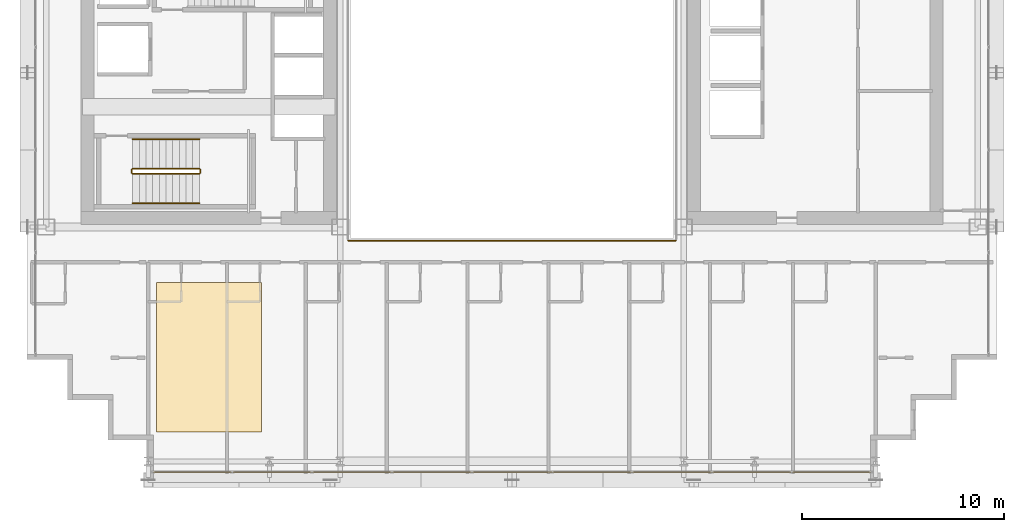
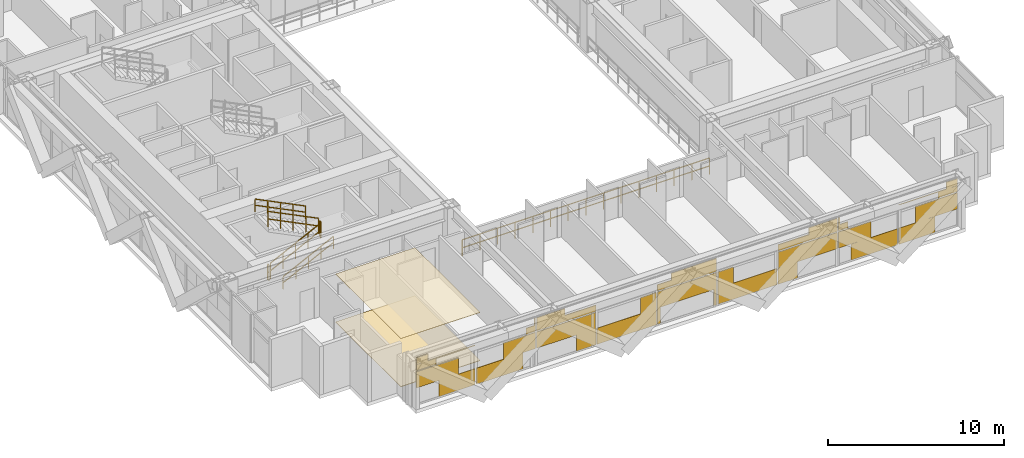
# One storey, part 33 of 36: 7 railings, 3 coverings.
"""IFC4 building model written with IfcOpenShell, lengths in metres."""

from ifc_helpers import new_model, si_unit, direction, frame, origin, origin_2d, place, context, subcontext, project, spatial, polyline, rectangle, outline, extrude, material, layer, layer_set, type_object, element, save


model = new_model("IFC4")

# Units and contexts
model_context = context("Model", 3, precision=1e-05, world=origin(), true_north=direction((0.0, 1.0)))
body_context = subcontext(model_context, "Body", "Model", "MODEL_VIEW")
ifc_project = project(units=[si_unit("LENGTHUNIT", "METRE"), si_unit("AREAUNIT", "SQUARE_METRE"), si_unit("VOLUMEUNIT", "CUBIC_METRE"), si_unit("PLANEANGLEUNIT", "RADIAN"), si_unit("MASSUNIT", "GRAM", prefix="KILO")], contexts=[model_context])

# Site, building, storey
site_placement = place(None, origin())
site = spatial("IfcSite", under=ifc_project, at=site_placement, CompositionType="ELEMENT")
building_placement = place(site_placement, origin())
building = spatial("IfcBuilding", under=site, at=building_placement, Name="Ocotamira Hotel", CompositionType="ELEMENT")
storey_placement = place(building_placement, frame((0.0, 0.0, 136.800048828125)))
storey = spatial("IfcBuildingStorey", under=building, at=storey_placement, Name="L34", CompositionType="ELEMENT", Elevation=136.800048828125)

# Coverings
ifc_material_1 = material(Name="Perforated acoustic gypsum ceiling board", Category="gypsum")
ifc_layer_1 = layer(ifc_material_1, 0.02490234375)
ifc_layer_set_1 = layer_set([ifc_layer_1], Name="Perforated acoustic gypsum ceiling board")
covering_type_1 = type_object("IfcCoveringType", Name="COV-CEIL-25", PredefinedType="CEILING", material=ifc_layer_set_1)
covering_1_placement = place(storey_placement, frame((0.0, 0.0, 3.3349609375)))
element("IfcCovering", 1, at=covering_1_placement, inside=storey, type_object=covering_type_1, Name="L34 Acoustic Ceiling", PredefinedType="CEILING", context=body_context, shape_type="SweptSolid", body=[
    extrude(outline(polyline([(14.39990234375, 4.39990234375), (19.60009765625, 4.39990234375), (19.60009765625, 11.800048828125), (14.39990234375, 11.800048828125), (14.39990234375, 4.39990234375)])), origin(), (0.0, 0.0, 1.0), 0.02490234375),
])
ifc_material_2 = material(Name="Honed desert travertine stone flooring", Category="masonry")
ifc_layer_2 = layer(ifc_material_2, 0.030029296875)
ifc_layer_set_2 = layer_set([ifc_layer_2], Name="Honed desert travertine stone flooring")
covering_type_2 = type_object("IfcCoveringType", Name="COV-FLOR-30", PredefinedType="FLOORING", material=ifc_layer_set_2)
covering_2_placement = place(storey_placement, origin())
element("IfcCovering", 2, at=covering_2_placement, inside=storey, type_object=covering_type_2, Name="L34 Honed Stone Floor Finish", PredefinedType="FLOORING", context=body_context, shape_type="SweptSolid", body=[
    extrude(outline(polyline([(14.39990234375, 4.39990234375), (19.60009765625, 4.39990234375), (19.60009765625, 11.800048828125), (14.39990234375, 11.800048828125), (14.39990234375, 4.39990234375)])), origin(), (0.0, 0.0, 1.0), 0.030029296875),
])
ifc_material_3 = material(Name="Insulated pale-metal aluminium spandrel panel", Category="aluminium")
ifc_layer_3 = layer(ifc_material_3, 0.044921875)
ifc_layer_set_3 = layer_set([ifc_layer_3], Name="Insulated pale-metal aluminium spandrel panel")
covering_type_3 = type_object("IfcCoveringType", Name="COV-INFILL-45", PredefinedType="CLADDING", material=ifc_layer_set_3)
covering_3_placement = place(storey_placement, origin())
element("IfcCovering", 3, at=covering_3_placement, inside=storey, type_object=covering_type_3, Name="L34 Curtain Wall Infill CW-3 CW-L34-S1", PredefinedType="CLADDING", context=body_context, shape_type="SweptSolid", body=[
    extrude(rectangle(XDim=2.754638671875, YDim=0.044921875, at=origin_2d()), frame((15.65771484375, 2.419921875, 1.19384765625), z_axis=(0.0, 0.0, 1.0), x_axis=(1.0, 0.0, 0.0)), (0.0, 0.0, 1.0), 1.117919921875),
    extrude(rectangle(XDim=2.359619140625, YDim=0.044921875, at=origin_2d()), frame((16.935302734375, 2.419921875, 0.0751953125), z_axis=(0.0, 0.0, 1.0), x_axis=(1.0, 0.0, 0.0)), (0.0, 0.0, 1.0), 1.117919921875),
    extrude(rectangle(XDim=1.262451171875, YDim=0.044921875, at=origin_2d()), frame((14.91162109375, 2.419921875, 2.387939453125), z_axis=(0.0, 0.0, 1.0), x_axis=(1.0, 0.0, 0.0)), (0.0, 0.0, 1.0), 0.3935546875),
    extrude(rectangle(XDim=3.834716796875, YDim=0.044921875, at=origin_2d()), frame((16.19775390625, 2.419921875, 2.782470703125), z_axis=(0.0, 0.0, 1.0), x_axis=(1.0, 0.0, 0.0)), (0.0, 0.0, 1.0), 0.0302734375),
    extrude(rectangle(XDim=0.730224609375, YDim=0.044921875, at=origin_2d()), frame((14.6455078125, 2.419921875, 2.813720703125), z_axis=(0.0, 0.0, 1.0), x_axis=(1.0, 0.0, 0.0)), (0.0, 0.0, 1.0), 0.470703125),
    extrude(rectangle(XDim=3.04833984375, YDim=0.044921875, at=origin_2d()), frame((19.72021484375, 2.419921875, 0.0751953125), z_axis=(0.0, 0.0, 1.0), x_axis=(1.0, 0.0, 0.0)), (0.0, 0.0, 1.0), 1.117919921875),
    extrude(rectangle(XDim=2.105712890625, YDim=0.044921875, at=origin_2d()), frame((21.017578125, 2.419921875, 1.19384765625), z_axis=(0.0, 0.0, 1.0), x_axis=(1.0, 0.0, 0.0)), (0.0, 0.0, 1.0), 1.117919921875),
    extrude(rectangle(XDim=0.613525390625, YDim=0.044921875, at=origin_2d()), frame((21.763916015625, 2.419921875, 2.387939453125), z_axis=(0.0, 0.0, 1.0), x_axis=(1.0, 0.0, 0.0)), (0.0, 0.0, 1.0), 0.4248046875),
    extrude(rectangle(XDim=0.081298828125, YDim=0.044921875, at=origin_2d()), frame((22.02978515625, 2.419921875, 2.813720703125), z_axis=(0.0, 0.0, 1.0), x_axis=(1.0, 0.0, 0.0)), (0.0, 0.0, 1.0), 0.470703125),
    extrude(rectangle(XDim=3.87451171875, YDim=0.044921875, at=origin_2d()), frame((24.0888671875, 2.419921875, 1.19384765625), z_axis=(0.0, 0.0, 1.0), x_axis=(1.0, 0.0, 0.0)), (0.0, 0.0, 1.0), 1.117919921875),
    extrude(rectangle(XDim=1.270751953125, YDim=0.044921875, at=origin_2d()), frame((25.390869140625, 2.419921875, 0.0751953125), z_axis=(0.0, 0.0, 1.0), x_axis=(1.0, 0.0, 0.0)), (0.0, 0.0, 1.0), 1.117919921875),
    extrude(rectangle(XDim=3.87451171875, YDim=0.044921875, at=origin_2d()), frame((24.0888671875, 2.419921875, 2.387939453125), z_axis=(0.0, 0.0, 1.0), x_axis=(1.0, 0.0, 0.0)), (0.0, 0.0, 1.0), 0.4248046875),
    extrude(rectangle(XDim=1.859130859375, YDim=0.044921875, at=origin_2d()), frame((23.081298828125, 2.419921875, 2.813720703125), z_axis=(0.0, 0.0, 1.0), x_axis=(1.0, 0.0, 0.0)), (0.0, 0.0, 1.0), 0.470703125),
    extrude(rectangle(XDim=3.87451171875, YDim=0.044921875, at=origin_2d()), frame((28.04443359375, 2.419921875, 0.0751953125), z_axis=(0.0, 0.0, 1.0), x_axis=(1.0, 0.0, 0.0)), (0.0, 0.0, 1.0), 1.117919921875),
    extrude(rectangle(XDim=1.016845703125, YDim=0.044921875, at=origin_2d()), frame((29.473388671875, 2.419921875, 1.19384765625), z_axis=(0.0, 0.0, 1.0), x_axis=(1.0, 0.0, 0.0)), (0.0, 0.0, 1.0), 1.117919921875),
    extrude(rectangle(XDim=0.181884765625, YDim=0.044921875, at=origin_2d()), frame((30.153564453125, 2.419921875, 0.0751953125), z_axis=(0.0, 0.0, 1.0), x_axis=(1.0, 0.0, 0.0)), (0.0, 0.0, 1.0), 1.117919921875),
    extrude(rectangle(XDim=3.87451171875, YDim=0.044921875, at=origin_2d()), frame((32.0, 2.419921875, 1.19384765625), z_axis=(0.0, 0.0, 1.0), x_axis=(1.0, 0.0, 0.0)), (0.0, 0.0, 1.0), 1.117919921875),
    extrude(rectangle(XDim=0.181884765625, YDim=0.044921875, at=origin_2d()), frame((33.846435546875, 2.419921875, 0.0751953125), z_axis=(0.0, 0.0, 1.0), x_axis=(1.0, 0.0, 0.0)), (0.0, 0.0, 1.0), 1.117919921875),
    extrude(rectangle(XDim=3.87451171875, YDim=0.044921875, at=origin_2d()), frame((32.0, 2.419921875, 2.387939453125), z_axis=(0.0, 0.0, 1.0), x_axis=(1.0, 0.0, 0.0)), (0.0, 0.0, 1.0), 0.4248046875),
    extrude(rectangle(XDim=2.947998046875, YDim=0.044921875, at=origin_2d()), frame((32.46337890625, 2.419921875, 2.813720703125), z_axis=(0.0, 0.0, 1.0), x_axis=(1.0, 0.0, 0.0)), (0.0, 0.0, 1.0), 0.470703125),
    extrude(rectangle(XDim=3.87451171875, YDim=0.044921875, at=origin_2d()), frame((35.95556640625, 2.419921875, 0.0751953125), z_axis=(0.0, 0.0, 1.0), x_axis=(1.0, 0.0, 0.0)), (0.0, 0.0, 1.0), 1.117919921875),
    extrude(rectangle(XDim=1.016845703125, YDim=0.044921875, at=origin_2d()), frame((34.526611328125, 2.419921875, 1.19384765625), z_axis=(0.0, 0.0, 1.0), x_axis=(1.0, 0.0, 0.0)), (0.0, 0.0, 1.0), 1.117919921875),
    extrude(rectangle(XDim=1.270751953125, YDim=0.044921875, at=origin_2d()), frame((38.609130859375, 2.419921875, 0.0751953125), z_axis=(0.0, 0.0, 1.0), x_axis=(1.0, 0.0, 0.0)), (0.0, 0.0, 1.0), 1.117919921875),
    extrude(rectangle(XDim=3.87451171875, YDim=0.044921875, at=origin_2d()), frame((39.9111328125, 2.419921875, 1.19384765625), z_axis=(0.0, 0.0, 1.0), x_axis=(1.0, 0.0, 0.0)), (0.0, 0.0, 1.0), 1.117919921875),
    extrude(rectangle(XDim=3.87451171875, YDim=0.044921875, at=origin_2d()), frame((39.9111328125, 2.419921875, 2.387939453125), z_axis=(0.0, 0.0, 1.0), x_axis=(1.0, 0.0, 0.0)), (0.0, 0.0, 1.0), 0.4248046875),
    extrude(rectangle(XDim=1.859130859375, YDim=0.044921875, at=origin_2d()), frame((40.918701171875, 2.419921875, 2.813720703125), z_axis=(0.0, 0.0, 1.0), x_axis=(1.0, 0.0, 0.0)), (0.0, 0.0, 1.0), 0.470703125),
    extrude(rectangle(XDim=2.105712890625, YDim=0.044921875, at=origin_2d()), frame((42.982421875, 2.419921875, 1.19384765625), z_axis=(0.0, 0.0, 1.0), x_axis=(1.0, 0.0, 0.0)), (0.0, 0.0, 1.0), 1.117919921875),
    extrude(rectangle(XDim=3.04833984375, YDim=0.044921875, at=origin_2d()), frame((44.27978515625, 2.419921875, 0.0751953125), z_axis=(0.0, 0.0, 1.0), x_axis=(1.0, 0.0, 0.0)), (0.0, 0.0, 1.0), 1.117919921875),
    extrude(rectangle(XDim=0.613525390625, YDim=0.044921875, at=origin_2d()), frame((42.236083984375, 2.419921875, 2.387939453125), z_axis=(0.0, 0.0, 1.0), x_axis=(1.0, 0.0, 0.0)), (0.0, 0.0, 1.0), 0.4248046875),
    extrude(rectangle(XDim=0.081298828125, YDim=0.044921875, at=origin_2d()), frame((41.97021484375, 2.419921875, 2.813720703125), z_axis=(0.0, 0.0, 1.0), x_axis=(1.0, 0.0, 0.0)), (0.0, 0.0, 1.0), 0.470703125),
    extrude(rectangle(XDim=2.359619140625, YDim=0.044921875, at=origin_2d()), frame((47.064697265625, 2.419921875, 0.0751953125), z_axis=(0.0, 0.0, 1.0), x_axis=(1.0, 0.0, 0.0)), (0.0, 0.0, 1.0), 1.117919921875),
    extrude(rectangle(XDim=2.754638671875, YDim=0.044921875, at=origin_2d()), frame((48.34228515625, 2.419921875, 1.19384765625), z_axis=(0.0, 0.0, 1.0), x_axis=(1.0, 0.0, 0.0)), (0.0, 0.0, 1.0), 1.117919921875),
    extrude(rectangle(XDim=3.834716796875, YDim=0.044921875, at=origin_2d()), frame((47.80224609375, 2.419921875, 2.782470703125), z_axis=(0.0, 0.0, 1.0), x_axis=(1.0, 0.0, 0.0)), (0.0, 0.0, 1.0), 0.0302734375),
    extrude(rectangle(XDim=1.262451171875, YDim=0.044921875, at=origin_2d()), frame((49.08837890625, 2.419921875, 2.387939453125), z_axis=(0.0, 0.0, 1.0), x_axis=(1.0, 0.0, 0.0)), (0.0, 0.0, 1.0), 0.3935546875),
    extrude(rectangle(XDim=0.730224609375, YDim=0.044921875, at=origin_2d()), frame((49.3544921875, 2.419921875, 2.813720703125), z_axis=(0.0, 0.0, 1.0), x_axis=(1.0, 0.0, 0.0)), (0.0, 0.0, 1.0), 0.470703125),
])

# Railings
ifc_material_4 = material(Name="Painted steel stair guardrail", Category="steel")
railing_type_1 = type_object("IfcRailingType", Name="RL-EDGE-1150", PredefinedType="GUARDRAIL", material=ifc_material_4)
railing_1_placement = place(storey_placement, frame((23.89990234375, 13.8798828125, 0.0)))
element("IfcRailing", 4, at=railing_1_placement, inside=storey, type_object=railing_type_1, Name="L34 Central Atrium Edge Guardrail S", PredefinedType="GUARDRAIL", context=body_context, shape_type="SweptSolid", body=[
    extrude(rectangle(XDim=0.048095703125, YDim=0.048095703125, at=origin_2d()), frame((0.0, 0.0, 1.1259765625), z_axis=(1.0, 0.0, 0.0), x_axis=(0.0, 1.0, 0.0)), (0.0, 0.0, 1.0), 16.2001953125),
    extrude(rectangle(XDim=0.048095703125, YDim=0.048095703125, at=origin_2d()), frame((0.0, 0.0, 0.574951171875), z_axis=(1.0, 0.0, 0.0), x_axis=(0.0, 1.0, 0.0)), (0.0, 0.0, 1.0), 16.2001953125),
    extrude(rectangle(XDim=0.0419921875, YDim=0.0419921875, at=origin_2d()), origin(), (0.0, 0.0, 1.0), 1.101806640625),
    extrude(rectangle(XDim=0.0419921875, YDim=0.0419921875, at=origin_2d()), frame((1.1572265625, 0.0, 0.0)), (0.0, 0.0, 1.0), 1.101806640625),
    extrude(rectangle(XDim=0.0419921875, YDim=0.0419921875, at=origin_2d()), frame((2.314208984375, 0.0, 0.0)), (0.0, 0.0, 1.0), 1.101806640625),
    extrude(rectangle(XDim=0.0419921875, YDim=0.0419921875, at=origin_2d()), frame((3.471435546875, 0.0, 0.0)), (0.0, 0.0, 1.0), 1.101806640625),
    extrude(rectangle(XDim=0.0419921875, YDim=0.0419921875, at=origin_2d()), frame((4.628662109375, 0.0, 0.0)), (0.0, 0.0, 1.0), 1.101806640625),
    extrude(rectangle(XDim=0.0419921875, YDim=0.0419921875, at=origin_2d()), frame((5.785888671875, 0.0, 0.0)), (0.0, 0.0, 1.0), 1.101806640625),
    extrude(rectangle(XDim=0.0419921875, YDim=0.0419921875, at=origin_2d()), frame((6.94287109375, 0.0, 0.0)), (0.0, 0.0, 1.0), 1.101806640625),
    extrude(rectangle(XDim=0.0419921875, YDim=0.0419921875, at=origin_2d()), frame((8.10009765625, 0.0, 0.0)), (0.0, 0.0, 1.0), 1.101806640625),
    extrude(rectangle(XDim=0.0419921875, YDim=0.0419921875, at=origin_2d()), frame((9.25732421875, 0.0, 0.0)), (0.0, 0.0, 1.0), 1.101806640625),
    extrude(rectangle(XDim=0.0419921875, YDim=0.0419921875, at=origin_2d()), frame((10.414306640625, 0.0, 0.0)), (0.0, 0.0, 1.0), 1.101806640625),
    extrude(rectangle(XDim=0.0419921875, YDim=0.0419921875, at=origin_2d()), frame((11.571533203125, 0.0, 0.0)), (0.0, 0.0, 1.0), 1.101806640625),
    extrude(rectangle(XDim=0.0419921875, YDim=0.0419921875, at=origin_2d()), frame((12.728759765625, 0.0, 0.0)), (0.0, 0.0, 1.0), 1.101806640625),
    extrude(rectangle(XDim=0.0419921875, YDim=0.0419921875, at=origin_2d()), frame((13.885986328125, 0.0, 0.0)), (0.0, 0.0, 1.0), 1.101806640625),
    extrude(rectangle(XDim=0.0419921875, YDim=0.0419921875, at=origin_2d()), frame((15.04296875, 0.0, 0.0)), (0.0, 0.0, 1.0), 1.101806640625),
    extrude(rectangle(XDim=0.0419921875, YDim=0.0419921875, at=origin_2d()), frame((16.2001953125, 0.0, 0.0)), (0.0, 0.0, 1.0), 1.101806640625),
])
ifc_material_5 = material(Name="Brushed stainless steel handrail", Category="steel")
railing_type_2 = type_object("IfcRailingType", Name="RL-HAND-900", PredefinedType="HANDRAIL", material=ifc_material_5)
railing_2_placement = place(storey_placement, frame((13.22998046875, 15.719970703125, 0.3271484375)))
element("IfcRailing", 5, at=railing_2_placement, inside=storey, type_object=railing_type_2, Name="L34 ST-1 stair handrail 1", PredefinedType="HANDRAIL", context=body_context, shape_type="SweptSolid", body=[
    extrude(rectangle(XDim=0.048095703125, YDim=0.048095703125, at=origin_2d()), frame((0.0, 0.0, 0.8759765625), z_axis=(0.895893744519, 0.0, 0.4442683857), x_axis=(0.0, 1.0, 0.0)), (0.0, 0.0, 1.0), 3.68359375),
    extrude(rectangle(XDim=0.048095703125, YDim=0.048095703125, at=origin_2d()), frame((0.0, 0.0, 0.449951171875), z_axis=(0.895893744519, 0.0, 0.4442683857), x_axis=(0.0, 1.0, 0.0)), (0.0, 0.0, 1.0), 3.68359375),
    extrude(rectangle(XDim=0.0419921875, YDim=0.0419921875, at=origin_2d()), origin(), (0.0, 0.0, 1.0), 0.851806640625),
    extrude(rectangle(XDim=0.0419921875, YDim=0.0419921875, at=origin_2d()), frame((0.824951171875, 0.0, 0.4091796875)), (0.0, 0.0, 1.0), 0.851806640625),
    extrude(rectangle(XDim=0.0419921875, YDim=0.0419921875, at=origin_2d()), frame((1.64990234375, 0.0, 0.818359375)), (0.0, 0.0, 1.0), 0.851806640625),
    extrude(rectangle(XDim=0.0419921875, YDim=0.0419921875, at=origin_2d()), frame((2.47509765625, 0.0, 1.227294921875)), (0.0, 0.0, 1.0), 0.851806640625),
    extrude(rectangle(XDim=0.0419921875, YDim=0.0419921875, at=origin_2d()), frame((3.300048828125, 0.0, 1.636474609375)), (0.0, 0.0, 1.0), 0.851806640625),
])
railing_3_placement = place(storey_placement, frame((16.530029296875, 18.89990234375, 2.127197265625)))
element("IfcRailing", 6, at=railing_3_placement, inside=storey, type_object=railing_type_2, Name="L34 ST-1 stair handrail 2", PredefinedType="HANDRAIL", context=body_context, shape_type="SweptSolid", body=[
    extrude(rectangle(XDim=0.048095703125, YDim=0.048095703125, at=origin_2d()), frame((0.0, 0.0, 0.8759765625), z_axis=(-0.895893744519, 0.0, 0.4442683857), x_axis=(0.0, -1.0, 0.0)), (0.0, 0.0, 1.0), 3.68359375),
    extrude(rectangle(XDim=0.048095703125, YDim=0.048095703125, at=origin_2d()), frame((0.0, 0.0, 0.449951171875), z_axis=(-0.895893744519, 0.0, 0.4442683857), x_axis=(0.0, -1.0, 0.0)), (0.0, 0.0, 1.0), 3.68359375),
    extrude(rectangle(XDim=0.0419921875, YDim=0.0419921875, at=origin_2d()), origin(), (0.0, 0.0, 1.0), 0.851806640625),
    extrude(rectangle(XDim=0.0419921875, YDim=0.0419921875, at=origin_2d()), frame((-0.824951171875, 0.0, 0.4091796875)), (0.0, 0.0, 1.0), 0.851806640625),
    extrude(rectangle(XDim=0.0419921875, YDim=0.0419921875, at=origin_2d()), frame((-1.64990234375, 0.0, 0.818359375)), (0.0, 0.0, 1.0), 0.851806640625),
    extrude(rectangle(XDim=0.0419921875, YDim=0.0419921875, at=origin_2d()), frame((-2.47509765625, 0.0, 1.227294921875)), (0.0, 0.0, 1.0), 0.851806640625),
    extrude(rectangle(XDim=0.0419921875, YDim=0.0419921875, at=origin_2d()), frame((-3.300048828125, 0.0, 1.636474609375)), (0.0, 0.0, 1.0), 0.851806640625),
])
railing_type_3 = type_object("IfcRailingType", Name="RL-STAIR-1100", PredefinedType="GUARDRAIL", material=ifc_material_4)
railing_4_placement = place(storey_placement, frame((13.22998046875, 17.179931640625, 0.16357421875)))
element("IfcRailing", 7, at=railing_4_placement, inside=storey, type_object=railing_type_3, Name="L34 ST-1 stair guard 1", PredefinedType="GUARDRAIL", context=body_context, shape_type="SweptSolid", body=[
    extrude(rectangle(XDim=0.048095703125, YDim=0.048095703125, at=origin_2d()), frame((0.0, 0.0, 1.076171875), z_axis=(0.895893744519, 0.0, 0.4442683857), x_axis=(0.0, 1.0, 0.0)), (0.0, 0.0, 1.0), 3.68359375),
    extrude(rectangle(XDim=0.048095703125, YDim=0.048095703125, at=origin_2d()), frame((0.0, 0.0, 0.550048828125), z_axis=(0.895893744519, 0.0, 0.4442683857), x_axis=(0.0, 1.0, 0.0)), (0.0, 0.0, 1.0), 3.68359375),
    extrude(rectangle(XDim=0.0419921875, YDim=0.0419921875, at=origin_2d()), origin(), (0.0, 0.0, 1.0), 1.052001953125),
    extrude(rectangle(XDim=0.0419921875, YDim=0.0419921875, at=origin_2d()), frame((0.824951171875, 0.0, 0.4091796875)), (0.0, 0.0, 1.0), 1.052001953125),
    extrude(rectangle(XDim=0.0419921875, YDim=0.0419921875, at=origin_2d()), frame((1.64990234375, 0.0, 0.818359375)), (0.0, 0.0, 1.0), 1.052001953125),
    extrude(rectangle(XDim=0.0419921875, YDim=0.0419921875, at=origin_2d()), frame((2.47509765625, 0.0, 1.227294921875)), (0.0, 0.0, 1.0), 1.052001953125),
    extrude(rectangle(XDim=0.0419921875, YDim=0.0419921875, at=origin_2d()), frame((3.300048828125, 0.0, 1.636474609375)), (0.0, 0.0, 1.0), 1.052001953125),
])
railing_5_placement = place(storey_placement, frame((16.580078125, 17.22998046875, 1.800048828125)))
element("IfcRailing", 8, at=railing_5_placement, inside=storey, type_object=railing_type_3, Name="L34 ST-1 stair guard 2", PredefinedType="GUARDRAIL", context=body_context, shape_type="SweptSolid", body=[
    extrude(rectangle(XDim=0.048095703125, YDim=0.048095703125, at=origin_2d()), frame((0.0, 0.0, 1.076171875), z_axis=(0.0, 1.0, 0.0), x_axis=(-1.0, 0.0, 0.0)), (0.0, 0.0, 1.0), 0.159912109375),
    extrude(rectangle(XDim=0.048095703125, YDim=0.048095703125, at=origin_2d()), frame((0.0, 0.0, 0.550048828125), z_axis=(0.0, 1.0, 0.0), x_axis=(-1.0, 0.0, 0.0)), (0.0, 0.0, 1.0), 0.159912109375),
    extrude(rectangle(XDim=0.0419921875, YDim=0.0419921875, at=origin_2d()), origin(), (0.0, 0.0, 1.0), 1.052001953125),
    extrude(rectangle(XDim=0.0419921875, YDim=0.0419921875, at=origin_2d()), frame((0.0, 0.159912109375, 0.0)), (0.0, 0.0, 1.0), 1.052001953125),
])
railing_6_placement = place(storey_placement, frame((16.530029296875, 17.43994140625, 1.963623046875)))
element("IfcRailing", 9, at=railing_6_placement, inside=storey, type_object=railing_type_3, Name="L34 ST-1 stair guard 3", PredefinedType="GUARDRAIL", context=body_context, shape_type="SweptSolid", body=[
    extrude(rectangle(XDim=0.048095703125, YDim=0.048095703125, at=origin_2d()), frame((0.0, 0.0, 1.076171875), z_axis=(-0.895920123917, 0.0, 0.444215186098), x_axis=(0.0, -1.0, 0.0)), (0.0, 0.0, 1.0), 3.683349609375),
    extrude(rectangle(XDim=0.048095703125, YDim=0.048095703125, at=origin_2d()), frame((0.0, 0.0, 0.550048828125), z_axis=(-0.895920123917, 0.0, 0.444215186098), x_axis=(0.0, -1.0, 0.0)), (0.0, 0.0, 1.0), 3.683349609375),
    extrude(rectangle(XDim=0.0419921875, YDim=0.0419921875, at=origin_2d()), origin(), (0.0, 0.0, 1.0), 1.052001953125),
    extrude(rectangle(XDim=0.0419921875, YDim=0.0419921875, at=origin_2d()), frame((-0.824951171875, 0.0, 0.4091796875)), (0.0, 0.0, 1.0), 1.052001953125),
    extrude(rectangle(XDim=0.0419921875, YDim=0.0419921875, at=origin_2d()), frame((-1.64990234375, 0.0, 0.818115234375)), (0.0, 0.0, 1.0), 1.052001953125),
    extrude(rectangle(XDim=0.0419921875, YDim=0.0419921875, at=origin_2d()), frame((-2.47509765625, 0.0, 1.22705078125)), (0.0, 0.0, 1.0), 1.052001953125),
    extrude(rectangle(XDim=0.0419921875, YDim=0.0419921875, at=origin_2d()), frame((-3.300048828125, 0.0, 1.63623046875)), (0.0, 0.0, 1.0), 1.052001953125),
])
railing_7_placement = place(storey_placement, frame((13.179931640625, 17.22998046875, 0.0)))
element("IfcRailing", 10, at=railing_7_placement, inside=storey, type_object=railing_type_3, Name="L34 ST-1 stair guard 4", PredefinedType="GUARDRAIL", context=body_context, shape_type="SweptSolid", body=[
    extrude(rectangle(XDim=0.048095703125, YDim=0.048095703125, at=origin_2d()), frame((0.0, 0.0, 1.076171875), z_axis=(0.0, 1.0, 0.0), x_axis=(-1.0, 0.0, 0.0)), (0.0, 0.0, 1.0), 0.159912109375),
    extrude(rectangle(XDim=0.048095703125, YDim=0.048095703125, at=origin_2d()), frame((0.0, 0.0, 0.550048828125), z_axis=(0.0, 1.0, 0.0), x_axis=(-1.0, 0.0, 0.0)), (0.0, 0.0, 1.0), 0.159912109375),
    extrude(rectangle(XDim=0.0419921875, YDim=0.0419921875, at=origin_2d()), origin(), (0.0, 0.0, 1.0), 1.052001953125),
    extrude(rectangle(XDim=0.0419921875, YDim=0.0419921875, at=origin_2d()), frame((0.0, 0.159912109375, 0.0)), (0.0, 0.0, 1.0), 1.052001953125),
])

save(model, "model.ifc")
